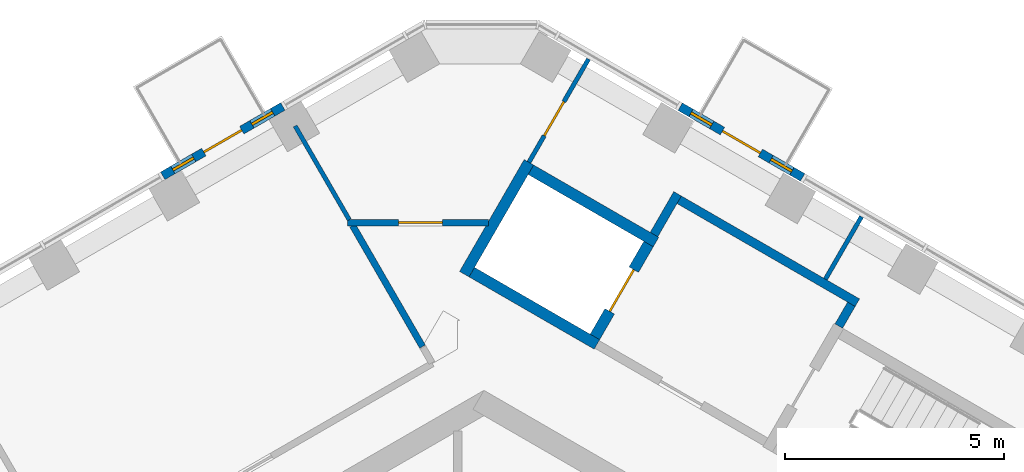
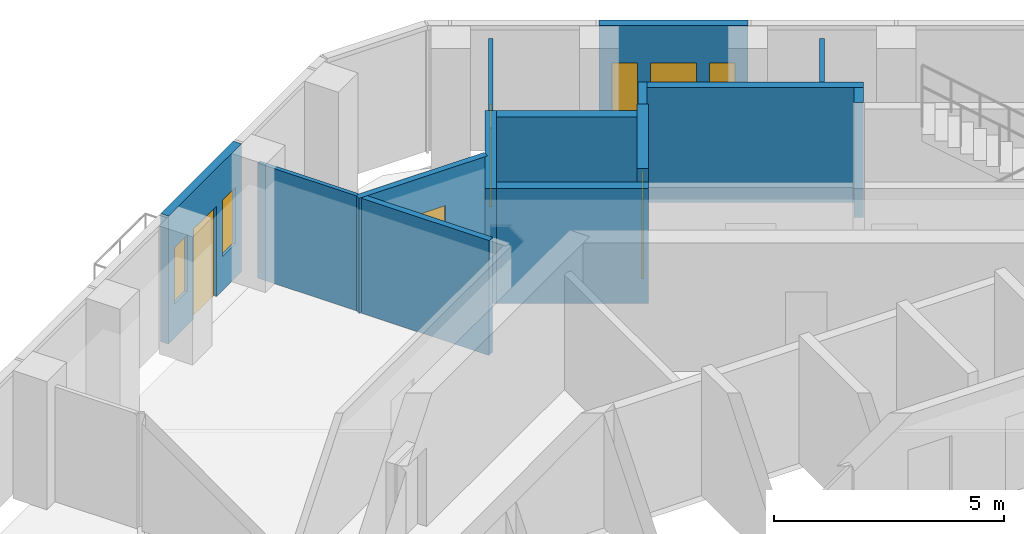
# One storey, part 16 of 19: 14 walls, 5 doors, 4 windows, 9 openings.
"""IFC4 building model written with IfcOpenShell, lengths in metres."""

from ifc_helpers import new_model, si_unit, direction, frame, frame_2d, origin, place, context, subcontext, project, spatial, rectangle, extrude, material, layer, layer_set, type_object, element, fill, save


model = new_model("IFC4")

# Units and contexts
model_context = context("Model", 3, precision=1e-05, world=origin(), true_north=direction((0.0, 1.0)))
body_context = subcontext(model_context, "Body", "Model", "MODEL_VIEW")
ifc_project = project(units=[si_unit("LENGTHUNIT", "METRE"), si_unit("AREAUNIT", "SQUARE_METRE"), si_unit("VOLUMEUNIT", "CUBIC_METRE"), si_unit("PLANEANGLEUNIT", "RADIAN"), si_unit("MASSUNIT", "GRAM", prefix="KILO")], contexts=[model_context])

# Site, building, storey
site_placement = place(None, origin())
site = spatial("IfcSite", under=ifc_project, at=site_placement, CompositionType="ELEMENT")
building_placement = place(site_placement, origin())
building = spatial("IfcBuilding", under=site, at=building_placement, Name="Ayvan Gate Tower", CompositionType="ELEMENT")
storey_placement = place(building_placement, frame((0.0, 0.0, 222.300048828125)))
storey = spatial("IfcBuildingStorey", under=building, at=storey_placement, Name="L59", CompositionType="ELEMENT", Elevation=222.300048828125)

# Wall, openings, door, windows
ifc_material_1 = material(Name="Insulated metal panel wall")
ifc_layer_1 = layer(ifc_material_1, 0.199951171875)
ifc_layer_set_1 = layer_set([ifc_layer_1], Name="Insulated metal panel wall")
wall_type_1 = type_object("IfcWallType", Name="Balcony door wall 200", PredefinedType="SOLIDWALL", material=ifc_layer_set_1)
wall_1_placement = place(storey_placement, frame((-4.593017578125, 17.454345703125, 0.0), z_axis=(0.0, 0.0, 1.0), x_axis=(-0.866023832351, -0.500002721793, 0.0)))
wall_1 = element("IfcWall", 1, at=wall_1_placement, inside=storey, type_object=wall_type_1, Name="EW:L59:2:1", PredefinedType="SOLIDWALL", context=body_context, shape_type="SweptSolid", body=[
    extrude(rectangle(XDim=3.1669921875, YDim=0.199951171875, at=frame_2d((1.58349609375, 0.0))), origin(), (0.0, 0.0, 1.0), 3.39990234375),
])
opening_1_placement = place(wall_1_placement, frame((1.08349609375, 0.0, 0.0)))
opening_1 = element("IfcOpeningElement", 2, at=opening_1_placement, cuts=wall_1, Name="Opening L59-D92", PredefinedType="OPENING", context=body_context, shape_type="SweptSolid", body=[
    extrude(rectangle(XDim=1.0, YDim=2.39990234375, at=frame_2d((0.5, 1.199951171875))), frame((0.0, 0.10986328125, 0.0), z_axis=(0.0, -1.0, 0.0), x_axis=(1.0, 0.0, 0.0)), (0.0, 0.0, 1.0), 0.219970703125),
])
opening_2_placement = place(wall_1_placement, frame((0.266845703125, 0.0, 0.89990234375)))
opening_2 = element("IfcOpeningElement", 3, at=opening_2_placement, cuts=wall_1, Name="Opening W-B4", PredefinedType="OPENING", context=body_context, shape_type="SweptSolid", body=[
    extrude(rectangle(XDim=0.550048828125, YDim=1.5, at=frame_2d((0.27490234375, 0.75))), frame((0.0, 0.10986328125, 0.0), z_axis=(0.0, -1.0, 0.0), x_axis=(1.0, 0.0, 0.0)), (0.0, 0.0, 1.0), 0.219970703125),
])
opening_3_placement = place(wall_1_placement, frame((2.350341796875, 0.0, 0.89990234375)))
opening_3 = element("IfcOpeningElement", 4, at=opening_3_placement, cuts=wall_1, Name="Opening W-B4", PredefinedType="OPENING", context=body_context, shape_type="SweptSolid", body=[
    extrude(rectangle(XDim=0.550048828125, YDim=1.5, at=frame_2d((0.27490234375, 0.75))), frame((0.0, 0.10986328125, 0.0), z_axis=(0.0, -1.0, 0.0), x_axis=(1.0, 0.0, 0.0)), (0.0, 0.0, 1.0), 0.219970703125),
])
ifc_material_2 = material(Name="Bronze anodised aluminium and clear glass", Category="aluminium")
door_type_1 = type_object("IfcDoorType", Name="Balcony door D-B", OperationType="SINGLE_SWING_RIGHT", PredefinedType="DOOR", material=ifc_material_2)
door_1_placement = place(opening_1_placement, origin())
door_1 = element("IfcDoor", 5, at=door_1_placement, inside=storey, type_object=door_type_1, Name="Balcony door BAL-L59-2", OperationType="SINGLE_SWING_RIGHT", OverallHeight=2.39990234375, OverallWidth=1.0, PredefinedType="DOOR", context=body_context, shape_type="SweptSolid", body=[
    extrude(rectangle(XDim=1.0, YDim=2.39990234375, at=frame_2d((0.5, 1.199951171875))), frame((0.0, 0.02490234375, 0.0), z_axis=(0.0, -1.0, 0.0), x_axis=(1.0, 0.0, 0.0)), (0.0, 0.0, 1.0), 0.050048828125),
])
fill(opening_1, door_1)
window_type = type_object("IfcWindowType", Name="Balcony side light W-B Z4", PartitioningType="SINGLE_PANEL", PredefinedType="WINDOW", material=ifc_material_2)
window_1_placement = place(opening_2_placement, origin())
window_1 = element("IfcWindow", 6, at=window_1_placement, inside=storey, type_object=window_type, Name="Balcony side light BAL-L59-2.1", OverallHeight=1.5, OverallWidth=0.550048828125, PartitioningType="SINGLE_PANEL", PredefinedType="WINDOW", context=body_context, shape_type="SweptSolid", body=[
    extrude(rectangle(XDim=0.550048828125, YDim=1.5, at=frame_2d((0.27490234375, 0.75))), frame((0.0, 0.030029296875, 0.0), z_axis=(0.0, -1.0, 0.0), x_axis=(1.0, 0.0, 0.0)), (0.0, 0.0, 1.0), 0.06005859375),
])
fill(opening_2, window_1)
window_2_placement = place(opening_3_placement, origin())
window_2 = element("IfcWindow", 7, at=window_2_placement, inside=storey, type_object=window_type, Name="Balcony side light BAL-L59-2.2", OverallHeight=1.5, OverallWidth=0.550048828125, PartitioningType="SINGLE_PANEL", PredefinedType="WINDOW", context=body_context, shape_type="SweptSolid", body=[
    extrude(rectangle(XDim=0.550048828125, YDim=1.5, at=frame_2d((0.27490234375, 0.75))), frame((0.0, 0.030029296875, 0.0), z_axis=(0.0, -1.0, 0.0), x_axis=(1.0, 0.0, 0.0)), (0.0, 0.0, 1.0), 0.06005859375),
])
fill(opening_3, window_2)

wall_2_placement = place(storey_placement, frame((7.279052734375, 15.835205078125, 0.0), z_axis=(0.0, 0.0, 1.0), x_axis=(-0.86601428741, 0.500019253631, 0.0)))
wall_2 = element("IfcWall", 8, at=wall_2_placement, inside=storey, type_object=wall_type_1, Name="EW:L59:1:3", PredefinedType="SOLIDWALL", context=body_context, shape_type="SweptSolid", body=[
    extrude(rectangle(XDim=3.227783203125, YDim=0.199951171875, at=frame_2d((1.61376953125, 0.0))), origin(), (0.0, 0.0, 1.0), 3.39990234375),
])
opening_4_placement = place(wall_2_placement, frame((1.114013671875, 0.0, 0.0)))
opening_4 = element("IfcOpeningElement", 9, at=opening_4_placement, cuts=wall_2, Name="Opening L59-D91", PredefinedType="OPENING", context=body_context, shape_type="SweptSolid", body=[
    extrude(rectangle(XDim=1.0, YDim=2.39990234375, at=frame_2d((0.5, 1.199951171875))), frame((0.0, 0.10986328125, 0.0), z_axis=(0.0, -1.0, 0.0), x_axis=(1.0, 0.0, 0.0)), (0.0, 0.0, 1.0), 0.219970703125),
])
opening_5_placement = place(wall_2_placement, frame((0.281982421875, 0.0, 0.89990234375)))
opening_5 = element("IfcOpeningElement", 10, at=opening_5_placement, cuts=wall_2, Name="Opening W-B4", PredefinedType="OPENING", context=body_context, shape_type="SweptSolid", body=[
    extrude(rectangle(XDim=0.550048828125, YDim=1.5, at=frame_2d((0.27490234375, 0.75))), frame((0.0, 0.10986328125, 0.0), z_axis=(0.0, -1.0, 0.0), x_axis=(1.0, 0.0, 0.0)), (0.0, 0.0, 1.0), 0.219970703125),
])
opening_6_placement = place(wall_2_placement, frame((2.39599609375, 0.0, 0.89990234375)))
opening_6 = element("IfcOpeningElement", 11, at=opening_6_placement, cuts=wall_2, Name="Opening W-B4", PredefinedType="OPENING", context=body_context, shape_type="SweptSolid", body=[
    extrude(rectangle(XDim=0.550048828125, YDim=1.5, at=frame_2d((0.27490234375, 0.75))), frame((0.0, 0.10986328125, 0.0), z_axis=(0.0, -1.0, 0.0), x_axis=(1.0, 0.0, 0.0)), (0.0, 0.0, 1.0), 0.219970703125),
])
door_2_placement = place(opening_4_placement, origin())
door_2 = element("IfcDoor", 12, at=door_2_placement, inside=storey, type_object=door_type_1, Name="Balcony door BAL-L59-1", OperationType="SINGLE_SWING_RIGHT", OverallHeight=2.39990234375, OverallWidth=1.0, PredefinedType="DOOR", context=body_context, shape_type="SweptSolid", body=[
    extrude(rectangle(XDim=1.0, YDim=2.39990234375, at=frame_2d((0.5, 1.199951171875))), frame((0.0, 0.02490234375, 0.0), z_axis=(0.0, -1.0, 0.0), x_axis=(1.0, 0.0, 0.0)), (0.0, 0.0, 1.0), 0.050048828125),
])
fill(opening_4, door_2)
window_3_placement = place(opening_5_placement, origin())
window_3 = element("IfcWindow", 13, at=window_3_placement, inside=storey, type_object=window_type, Name="Balcony side light BAL-L59-1.1", OverallHeight=1.5, OverallWidth=0.550048828125, PartitioningType="SINGLE_PANEL", PredefinedType="WINDOW", context=body_context, shape_type="SweptSolid", body=[
    extrude(rectangle(XDim=0.550048828125, YDim=1.5, at=frame_2d((0.27490234375, 0.75))), frame((0.0, 0.030029296875, 0.0), z_axis=(0.0, -1.0, 0.0), x_axis=(1.0, 0.0, 0.0)), (0.0, 0.0, 1.0), 0.06005859375),
])
fill(opening_5, window_3)
window_4_placement = place(opening_6_placement, origin())
window_4 = element("IfcWindow", 14, at=window_4_placement, inside=storey, type_object=window_type, Name="Balcony side light BAL-L59-1.2", OverallHeight=1.5, OverallWidth=0.550048828125, PartitioningType="SINGLE_PANEL", PredefinedType="WINDOW", context=body_context, shape_type="SweptSolid", body=[
    extrude(rectangle(XDim=0.550048828125, YDim=1.5, at=frame_2d((0.27490234375, 0.75))), frame((0.0, 0.030029296875, 0.0), z_axis=(0.0, -1.0, 0.0), x_axis=(1.0, 0.0, 0.0)), (0.0, 0.0, 1.0), 0.06005859375),
])
fill(opening_6, window_4)

# Wall, opening, door
ifc_material_3 = material(Name="Plasterboard on steel stud", Category="steel")
ifc_layer_2 = layer(ifc_material_3, 0.14990234375)
ifc_layer_set_2 = layer_set([ifc_layer_2], Name="Plasterboard on steel stud")
wall_type_2 = type_object("IfcWallType", Name="WT-CORR-150", PredefinedType="PARTITIONING", material=ifc_layer_set_2)
wall_3_placement = place(storey_placement, frame((-3.11328125, 14.801513671875, 0.0), z_axis=(0.0, 0.0, 1.0), x_axis=(1.0, 0.0, 0.0)))
wall_3 = element("IfcWall", 15, at=wall_3_placement, inside=storey, type_object=wall_type_2, Name="IW-L59-022", PredefinedType="PARTITIONING", context=body_context, shape_type="SweptSolid", body=[
    extrude(rectangle(XDim=3.22021484375, YDim=0.14990234375, at=frame_2d((1.610107421875, 0.0))), origin(), (0.0, 0.0, 1.0), 3.050048828125),
])
opening_7_placement = place(wall_3_placement, frame((1.164794921875, 0.0, 0.0)))
opening_7 = element("IfcOpeningElement", 16, at=opening_7_placement, cuts=wall_3, Name="Opening L59-D25", PredefinedType="OPENING", context=body_context, shape_type="SweptSolid", body=[
    extrude(rectangle(XDim=1.0, YDim=2.10009765625, at=frame_2d((0.5, 1.050048828125))), frame((0.0, 0.0849609375, 0.0), z_axis=(0.0, -1.0, 0.0), x_axis=(1.0, 0.0, 0.0)), (0.0, 0.0, 1.0), 0.169921875),
])
ifc_material_4 = material(Name="Timber door leaf", Category="wood")
door_type_2 = type_object("IfcDoorType", Name="DT-1000", OperationType="NOTDEFINED", PredefinedType="DOOR", material=ifc_material_4)
door_3_placement = place(opening_7_placement, origin())
door_3 = element("IfcDoor", 17, at=door_3_placement, inside=storey, type_object=door_type_2, Name="ID-L59-025", OperationType="SINGLE_SWING_RIGHT", OverallHeight=2.10009765625, OverallWidth=1.0, PredefinedType="DOOR", context=body_context, shape_type="SweptSolid", body=[
    extrude(rectangle(XDim=1.0, YDim=2.10009765625, at=frame_2d((0.5, 1.050048828125))), frame((0.0, 0.02490234375, 0.0), z_axis=(0.0, -1.0, 0.0), x_axis=(1.0, 0.0, 0.0)), (0.0, 0.0, 1.0), 0.050048828125),
])
fill(opening_7, door_3)

# Walls
wall_4_placement = place(storey_placement, frame((-1.4033203125, 11.9697265625, 0.0), z_axis=(0.0, 0.0, 1.0), x_axis=(-0.499960573946, 0.866048165231, 0.0)))
element("IfcWall", 18, at=wall_4_placement, inside=storey, type_object=wall_type_2, Name="IW-L59-030", PredefinedType="PARTITIONING", context=body_context, shape_type="SweptSolid", body=[
    extrude(rectangle(XDim=3.195068359375, YDim=0.14990234375, at=frame_2d((1.59765625, 0.0))), origin(), (0.0, 0.0, 1.0), 3.050048828125),
])
ifc_layer_3 = layer(ifc_material_3, 0.10009765625)
ifc_layer_set_3 = layer_set([ifc_layer_3], Name="Plasterboard on steel stud")
wall_type_3 = type_object("IfcWallType", Name="WT-PART-100", PredefinedType="PARTITIONING", material=ifc_layer_set_3)
wall_5_placement = place(storey_placement, frame((-3.07568359375, 14.86669921875, 0.0), z_axis=(0.0, 0.0, 1.0), x_axis=(-0.500001430823, 0.866024577697, 0.0)))
element("IfcWall", 19, at=wall_5_placement, inside=storey, type_object=wall_type_3, Name="IW-L59-021", PredefinedType="PARTITIONING", context=body_context, shape_type="SweptSolid", body=[
    extrude(rectangle(XDim=2.474609375, YDim=0.10009765625, at=frame_2d((1.2373046875, 0.0))), origin(), (0.0, 0.0, 1.0), 3.050048828125),
])

# Wall, opening, door
wall_6_placement = place(storey_placement, frame((2.38916015625, 18.5380859375, 0.0), z_axis=(0.0, 0.0, 1.0), x_axis=(-0.500004325324, -0.866022906543, 0.0)))
wall_6 = element("IfcWall", 20, at=wall_6_placement, inside=storey, type_object=wall_type_3, Name="IW-L59-040", PredefinedType="PARTITIONING", context=body_context, shape_type="SweptSolid", body=[
    extrude(rectangle(XDim=2.72412109375, YDim=0.10009765625, at=frame_2d((1.362060546875, 0.0))), origin(), (0.0, 0.0, 1.0), 3.050048828125),
])
opening_8_placement = place(wall_6_placement, frame((1.12255859375, 0.0, 0.0)))
opening_8 = element("IfcOpeningElement", 21, at=opening_8_placement, cuts=wall_6, Name="Opening L59-D26", PredefinedType="OPENING", context=body_context, shape_type="SweptSolid", body=[
    extrude(rectangle(XDim=0.89990234375, YDim=2.10009765625, at=frame_2d((0.449951171875, 1.050048828125))), frame((0.0, 0.06005859375, 0.0), z_axis=(0.0, -1.0, 0.0), x_axis=(1.0, 0.0, 0.0)), (0.0, 0.0, 1.0), 0.1201171875),
])
door_type_3 = type_object("IfcDoorType", Name="DT-900", OperationType="NOTDEFINED", PredefinedType="DOOR", material=ifc_material_4)
door_4_placement = place(opening_8_placement, origin())
door_4 = element("IfcDoor", 22, at=door_4_placement, inside=storey, type_object=door_type_3, Name="ID-L59-026", OperationType="SINGLE_SWING_LEFT", OverallHeight=2.10009765625, OverallWidth=0.89990234375, PredefinedType="DOOR", context=body_context, shape_type="SweptSolid", body=[
    extrude(rectangle(XDim=0.89990234375, YDim=2.10009765625, at=frame_2d((0.449951171875, 1.050048828125))), frame((0.0, 0.02490234375, 0.0), z_axis=(0.0, -1.0, 0.0), x_axis=(1.0, 0.0, 0.0)), (0.0, 0.0, 1.0), 0.050048828125),
])
fill(opening_8, door_4)

# Walls
wall_7_placement = place(storey_placement, frame((7.800048828125, 13.510009765625, 0.0), z_axis=(0.0, 0.0, 1.0), x_axis=(0.499944585209, 0.866057395165, 0.0)))
element("IfcWall", 23, at=wall_7_placement, inside=storey, type_object=wall_type_3, Name="IW-L59-063", PredefinedType="PARTITIONING", context=body_context, shape_type="SweptSolid", body=[
    extrude(rectangle(XDim=1.649169921875, YDim=0.10009765625, at=frame_2d((0.82470703125, 0.0))), origin(), (0.0, 0.0, 1.0), 3.050048828125),
])
ifc_layer_4 = layer(ifc_material_3, 0.199951171875)
ifc_layer_set_4 = layer_set([ifc_layer_4], Name="Plasterboard on steel stud")
wall_type_4 = type_object("IfcWallType", Name="WT-RATED-200", PredefinedType="PARTITIONING", material=ifc_layer_set_4)
wall_8_placement = place(storey_placement, frame((3.885009765625, 14.52880859375, 0.0), z_axis=(0.0, 0.0, 1.0), x_axis=(0.499997628298, 0.866026773083, 0.0)))
element("IfcWall", 24, at=wall_8_placement, inside=storey, type_object=wall_type_4, Name="IW-L59-048", PredefinedType="PARTITIONING", context=body_context, shape_type="SweptSolid", body=[
    extrude(rectangle(XDim=1.0751953125, YDim=0.199951171875, at=frame_2d((0.53759765625, 0.0))), origin(), (0.0, 0.0, 1.0), 3.050048828125),
])
wall_9_placement = place(storey_placement, frame((4.458984375, 15.323486328125, 0.0), z_axis=(0.0, 0.0, 1.0), x_axis=(0.866016039709, -0.500016218704, 0.0)))
element("IfcWall", 25, at=wall_9_placement, inside=storey, type_object=wall_type_4, Name="IW-L59-049", PredefinedType="PARTITIONING", context=body_context, shape_type="SweptSolid", body=[
    extrude(rectangle(XDim=4.699951171875, YDim=0.199951171875, at=frame_2d((2.35009765625, 0.0))), origin(), (0.0, 0.0, 1.0), 3.050048828125),
])
wall_10_placement = place(storey_placement, frame((8.392822265625, 12.936767578125, 0.0), z_axis=(0.0, 0.0, 1.0), x_axis=(-0.500065409566, -0.86598763626, 0.0)))
element("IfcWall", 26, at=wall_10_placement, inside=storey, type_object=wall_type_4, Name="IW-L59-065", PredefinedType="PARTITIONING", context=body_context, shape_type="SweptSolid", body=[
    extrude(rectangle(XDim=0.5751953125, YDim=0.199951171875, at=frame_2d((0.28759765625, 0.0))), origin(), (0.0, 0.0, 1.0), 3.050048828125),
])
ifc_material_5 = material(Name="Concrete C50/60", Category="concrete")
ifc_layer_5 = layer(ifc_material_5, 0.25)
ifc_layer_set_5 = layer_set([ifc_layer_5], Name="Concrete C50/60")
wall_type_5 = type_object("IfcWallType", Name="WT-RC-250", PredefinedType="SHEAR", material=ifc_layer_set_5)
wall_11_placement = place(storey_placement, frame((-0.447998046875, 13.624267578125, 0.0), z_axis=(0.0, 0.0, 1.0), x_axis=(0.500037662692, 0.866003658127, 0.0)))
element("IfcWall", 27, at=wall_11_placement, inside=storey, type_object=wall_type_5, Name="IW-L59-034", PredefinedType="SHEAR", context=body_context, shape_type="SweptSolid", body=[
    extrude(rectangle(XDim=2.949951171875, YDim=0.25, at=frame_2d((1.47509765625, 0.0))), origin(), (0.0, 0.0, 1.0), 3.050048828125),
])
for number, where, z_axis, x_axis, name in (
    (28, (1.072998046875, 16.00830078125, 0.0), (0.0, 0.0, 1.0), (0.866040211805, -0.499974350878, 0.0), "IW-L59-038"),
    (29, (2.580810546875, 12.02001953125, 0.0), (0.0, 0.0, 1.0), (-0.866040211805, 0.499974350878, 0.0), "IW-L59-043"),
):
    element("IfcWall", number, at=place(storey_placement, frame(where, z_axis=z_axis, x_axis=x_axis)), inside=storey, type_object=wall_type_5, Name=name, PredefinedType="SHEAR", context=body_context, shape_type="SweptSolid", body=[
        extrude(rectangle(XDim=3.300048828125, YDim=0.25, at=frame_2d((1.64990234375, 0.0))), origin(), (0.0, 0.0, 1.0), 3.050048828125),
    ])

# Wall, opening, door
wall_12_placement = place(storey_placement, frame((2.534912109375, 12.19091796875, 0.0), z_axis=(0.0, 0.0, 1.0), x_axis=(0.500061746146, 0.865989751695, 0.0)))
wall_12 = element("IfcWall", 30, at=wall_12_placement, inside=storey, type_object=wall_type_5, Name="IW-L59-044", PredefinedType="SHEAR", context=body_context, shape_type="SweptSolid", body=[
    extrude(rectangle(XDim=2.449951171875, YDim=0.25, at=frame_2d((1.22509765625, 0.0))), origin(), (0.0, 0.0, 1.0), 3.39990234375),
])
opening_9_placement = place(wall_12_placement, frame((0.675048828125, 0.0, 0.0)))
opening_9 = element("IfcOpeningElement", 31, at=opening_9_placement, cuts=wall_12, Name="Opening L59-LD-FF1", PredefinedType="OPENING", context=body_context, shape_type="SweptSolid", body=[
    extrude(rectangle(XDim=1.10009765625, YDim=2.10009765625, at=frame_2d((0.550048828125, 1.050048828125))), frame((0.0, 0.135009765625, 0.0), z_axis=(0.0, -1.0, 0.0), x_axis=(1.0, 0.0, 0.0)), (0.0, 0.0, 1.0), 0.27001953125),
])
ifc_material_6 = material(Name="Stainless steel landing door", Category="steel")
door_type_4 = type_object("IfcDoorType", Name="DT-LANDING-1100", OperationType="SLIDING_TO_LEFT", PredefinedType="DOOR", material=ifc_material_6)
door_5_placement = place(opening_9_placement, origin())
door_5 = element("IfcDoor", 32, at=door_5_placement, inside=storey, type_object=door_type_4, Name="ID-L59-013", OperationType="SLIDING_TO_LEFT", OverallHeight=2.10009765625, OverallWidth=1.10009765625, PredefinedType="DOOR", context=body_context, shape_type="SweptSolid", body=[
    extrude(rectangle(XDim=1.10009765625, YDim=2.10009765625, at=frame_2d((0.550048828125, 1.050048828125))), frame((0.0, 0.02490234375, 0.0), z_axis=(0.0, -1.0, 0.0), x_axis=(1.0, 0.0, 0.0)), (0.0, 0.0, 1.0), 0.050048828125),
])
fill(opening_9, door_5)

save(model, "model.ifc")
